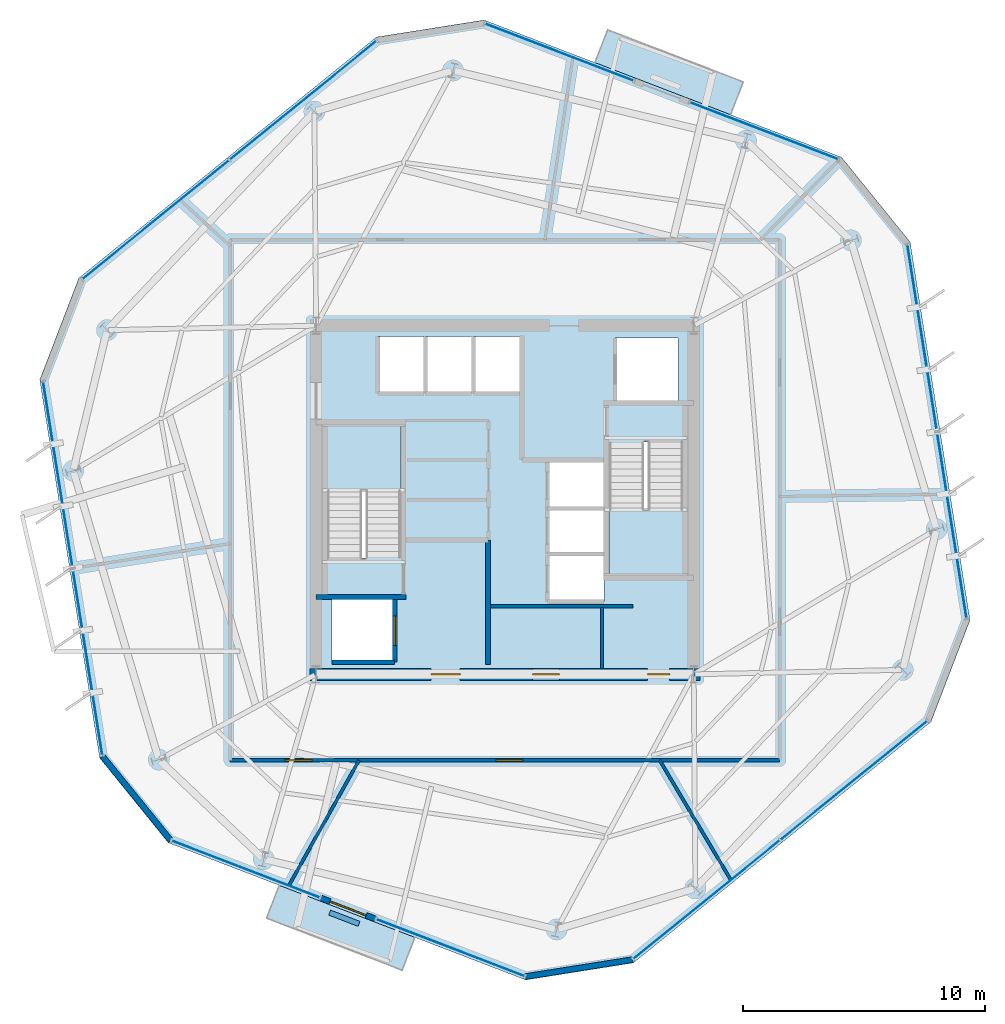
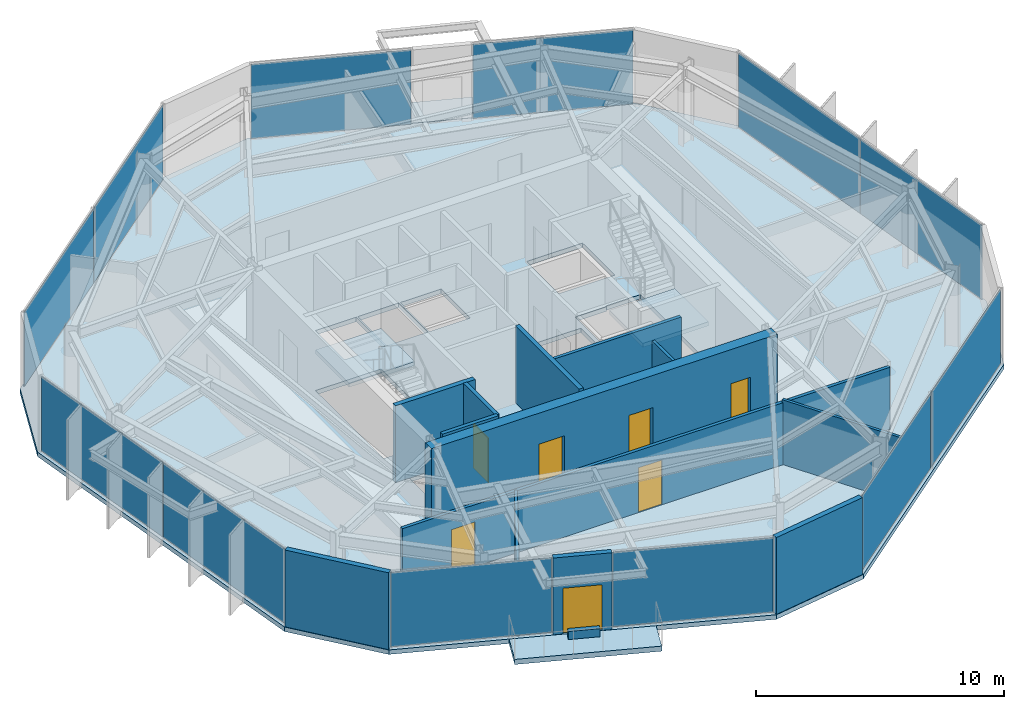
# One storey, part 6 of 12: 14 walls, 12 plates, 7 doors, 5 slabs, 7 openings, 10 elements without a shape of their own.
"""IFC4 building model written with IfcOpenShell, lengths in metres."""

from ifc_helpers import new_model, si_unit, direction, frame, frame_2d, origin, origin_2d, place, context, subcontext, project, spatial, polyline, rectangle, outline, extrude, material, layer, layer_set, type_object, element, fill, aggregate, save


model = new_model("IFC4")

# Units and contexts
model_context = context("Model", 3, precision=1e-05, world=origin(), true_north=direction((0.0, 1.0)))
body_context = subcontext(model_context, "Body", "Model", "MODEL_VIEW")
ifc_project = project(units=[si_unit("LENGTHUNIT", "METRE"), si_unit("AREAUNIT", "SQUARE_METRE"), si_unit("VOLUMEUNIT", "CUBIC_METRE"), si_unit("PLANEANGLEUNIT", "RADIAN"), si_unit("MASSUNIT", "GRAM", prefix="KILO")], contexts=[model_context])

# Site, building, storey
site_placement = place(None, origin())
site = spatial("IfcSite", under=ifc_project, at=site_placement, CompositionType="ELEMENT")
building_placement = place(site_placement, origin())
building = spatial("IfcBuilding", under=site, at=building_placement, Name="Kranzbogen Civic Tower", CompositionType="ELEMENT")
storey_placement = place(building_placement, frame((0.0, 0.0, 180.800048828125)))
storey = spatial("IfcBuildingStorey", under=building, at=storey_placement, Name="L43", CompositionType="ELEMENT", Elevation=180.800048828125)

# Slab
ifc_material_1 = material(Name="Concrete C40/50", Category="concrete")
ifc_layer_1 = layer(ifc_material_1, 0.219970703125, Name="Concrete C40/50")
ifc_layer_set_1 = layer_set([ifc_layer_1], Name="Concrete C40/50")
slab_type_1 = type_object("IfcSlabType", Name="Composite Upper Tower Floor Slab 220 mm", PredefinedType="FLOOR", material=ifc_layer_set_1)
slab_1_placement = place(storey_placement, frame((0.0, 0.0, -0.219970703125)))
element("IfcSlab", 1, at=slab_1_placement, inside=storey, type_object=slab_type_1, Name="L43 tower floor slab", PredefinedType="FLOOR", context=body_context, shape_type="SweptSolid", body=[
    extrude(outline(polyline([(38.906982421875, 39.156982421875), (24.137939453125, 44.825927734375), (19.693115234375, 44.1220703125), (7.39892578125, 34.166015625), (5.787109375, 29.965087890625), (8.260986328125, 14.341064453125), (11.093017578125, 10.843017578125), (25.862060546875, 5.174072265625), (30.306884765625, 5.8779296875), (42.60107421875, 15.833984375), (44.212890625, 20.034912109375), (41.739013671875, 35.658935546875), (38.906982421875, 39.156982421875)]), holes=[polyline([(20.449951171875, 20.89990234375), (20.449951171875, 18.300048828125), (17.85009765625, 18.300048828125), (17.85009765625, 20.89990234375), (20.449951171875, 20.89990234375)]), polyline([(29.10009765625, 22.699951171875), (29.10009765625, 20.800048828125), (26.75, 20.800048828125), (26.75, 22.699951171875), (29.10009765625, 22.699951171875)]), polyline([(29.10009765625, 24.64990234375), (29.10009765625, 22.77490234375), (26.75, 22.77490234375), (26.75, 24.64990234375), (26.75, 24.675048828125), (26.75, 26.550048828125), (29.10009765625, 26.550048828125), (29.10009765625, 24.675048828125), (29.10009765625, 24.64990234375)]), polyline([(30.75, 27.340087890625), (30.75, 27.39990234375), (32.35009765625, 27.39990234375), (32.35009765625, 21.89990234375), (29.300048828125, 21.89990234375), (29.300048828125, 27.340087890625), (30.75, 27.340087890625)]), polyline([(19.25, 22.659912109375), (19.25, 22.60009765625), (17.64990234375, 22.60009765625), (17.64990234375, 28.10009765625), (20.699951171875, 28.10009765625), (20.699951171875, 22.659912109375), (19.25, 22.659912109375)]), polyline([(32.14990234375, 31.699951171875), (32.14990234375, 29.10009765625), (29.550048828125, 29.10009765625), (29.550048828125, 31.699951171875), (32.14990234375, 31.699951171875)]), polyline([(21.64990234375, 31.75), (21.64990234375, 29.39990234375), (19.75, 29.39990234375), (19.75, 31.75), (21.64990234375, 31.75)]), polyline([(23.625, 29.39990234375), (21.72509765625, 29.39990234375), (21.72509765625, 31.75), (23.625, 31.75), (23.625, 29.39990234375)]), polyline([(25.60009765625, 29.39990234375), (23.699951171875, 29.39990234375), (23.699951171875, 31.75), (25.60009765625, 31.75), (25.60009765625, 29.39990234375)])]), origin(), (0.0, 0.0, 1.0), 0.219970703125),
])

# Curtain wall, plate
ifc_material_2 = material(Name="Pale Anodised Aluminium", Category="aluminium")
ifc_layer_2 = layer(ifc_material_2, 0.219970703125, Name="Pale Anodised Aluminium")
ifc_layer_set_2 = layer_set([ifc_layer_2], Name="Pale Anodised Aluminium")
curtain_wall_type = type_object("IfcCurtainWallType", Name="Zone 3 Stick Curtain Wall System CW-04", PredefinedType="USERDEFINED", material=ifc_layer_set_2)
curtain_wall_1_placement = place(storey_placement, origin())
curtain_wall_1 = element("IfcCurtainWall", 2, at=curtain_wall_1_placement, inside=storey, type_object=curtain_wall_type, Name="L43 curtain wall CW-L43-F1-S1", ObjectType="STICK CURTAIN WALL", PredefinedType="USERDEFINED")
ifc_material_3 = material(Name="Low-E Triple Glazing Glass", Category="glass")
ifc_layer_3 = layer(ifc_material_3, 0.030029296875, Name="Low-E Triple Glazing Glass")
ifc_layer_set_3 = layer_set([ifc_layer_3], Name="Low-E Triple Glazing Glass")
plate_type = type_object("IfcPlateType", Name="Insulated Low-E Glazing Panel 30 mm", PredefinedType="CURTAIN_PANEL", material=ifc_layer_set_3)
plate_1_placement = place(storey_placement, frame((35.702880859375, 40.2490234375, 0.06005859375), z_axis=(0.0, 0.0, 1.0), x_axis=(-0.933608751858, 0.35829415074, 0.0)))
plate_1 = element("IfcPlate", 3, at=plate_1_placement, type_object=plate_type, Name="CW-04 panel 1.1", PredefinedType="CURTAIN_PANEL", context=body_context, shape_type="SweptSolid", body=[
    extrude(rectangle(XDim=6.53369140625, YDim=0.028076171875, at=origin_2d()), origin(), (0.0, 0.0, 1.0), 3.659912109375),
])
aggregate(curtain_wall_1, [plate_1])

curtain_wall_2_placement = place(storey_placement, origin())
curtain_wall_2 = element("IfcCurtainWall", 4, at=curtain_wall_2_placement, inside=storey, type_object=curtain_wall_type, Name="L43 curtain wall CW-L43-F1-S2", ObjectType="STICK CURTAIN WALL", PredefinedType="USERDEFINED")
plate_2_placement = place(storey_placement, frame((27.25048828125, 43.493408203125, 0.06005859375), z_axis=(0.0, 0.0, 1.0), x_axis=(-0.933577774585, 0.358374857937, 0.0)))
plate_2 = element("IfcPlate", 5, at=plate_2_placement, type_object=plate_type, Name="CW-04 panel 1.1", PredefinedType="CURTAIN_PANEL", context=body_context, shape_type="SweptSolid", body=[
    extrude(rectangle(XDim=6.53515625, YDim=0.028076171875, at=origin_2d()), origin(), (0.0, 0.0, 1.0), 3.659912109375),
])
aggregate(curtain_wall_2, [plate_2])

# Curtain wall, plates
curtain_wall_3_placement = place(storey_placement, origin())
curtain_wall_3 = element("IfcCurtainWall", 6, at=curtain_wall_3_placement, inside=storey, type_object=curtain_wall_type, Name="L43 curtain wall CW-L43-F2", ObjectType="STICK CURTAIN WALL", PredefinedType="USERDEFINED")
plate_3_placement = place(storey_placement, frame((16.66650390625, 41.506103515625, 0.06005859375), z_axis=(0.0, 0.0, 1.0), x_axis=(-0.777115874444, -0.629357543601, 0.0)))
plate_3 = element("IfcPlate", 7, at=plate_3_placement, type_object=plate_type, Name="CW-04 panel 1.1", PredefinedType="CURTAIN_PANEL", context=body_context, shape_type="SweptSolid", body=[
    extrude(rectangle(XDim=7.76416015625, YDim=0.028076171875, at=origin_2d()), origin(), (0.0, 0.0, 1.0), 3.659912109375),
])
plate_4_placement = place(storey_placement, frame((10.58642578125, 36.58203125, 0.06005859375), z_axis=(0.0, 0.0, 1.0), x_axis=(-0.777115874444, -0.629357543601, 0.0)))
plate_4 = element("IfcPlate", 8, at=plate_4_placement, type_object=plate_type, Name="CW-04 panel 2.1", PredefinedType="CURTAIN_PANEL", context=body_context, shape_type="SweptSolid", body=[
    extrude(rectangle(XDim=7.76416015625, YDim=0.028076171875, at=origin_2d()), origin(), (0.0, 0.0, 1.0), 3.659912109375),
])
aggregate(curtain_wall_3, [plate_3, plate_4])

curtain_wall_4_placement = place(storey_placement, origin())
curtain_wall_4 = element("IfcCurtainWall", 9, at=curtain_wall_4_placement, inside=storey, type_object=curtain_wall_type, Name="L43 curtain wall CW-L43-F3", ObjectType="STICK CURTAIN WALL", PredefinedType="USERDEFINED")
plate_5_placement = place(storey_placement, frame((6.539306640625, 26.03662109375, 0.06005859375), z_axis=(0.0, 0.0, 1.0), x_axis=(0.156361413818, -0.987699908003, 0.0)))
plate_5 = element("IfcPlate", 10, at=plate_5_placement, type_object=plate_type, Name="CW-04 panel 1.1", PredefinedType="CURTAIN_PANEL", context=body_context, shape_type="SweptSolid", body=[
    extrude(rectangle(XDim=7.763671875, YDim=0.028076171875, at=origin_2d()), origin(), (0.0, 0.0, 1.0), 3.659912109375),
])
plate_6_placement = place(storey_placement, frame((7.7626953125, 18.309326171875, 0.06005859375), z_axis=(0.0, 0.0, 1.0), x_axis=(0.156361413818, -0.987699908003, 0.0)))
plate_6 = element("IfcPlate", 11, at=plate_6_placement, type_object=plate_type, Name="CW-04 panel 2.1", PredefinedType="CURTAIN_PANEL", context=body_context, shape_type="SweptSolid", body=[
    extrude(rectangle(XDim=7.763671875, YDim=0.028076171875, at=origin_2d()), origin(), (0.0, 0.0, 1.0), 3.659912109375),
])
aggregate(curtain_wall_4, [plate_5, plate_6])

# Curtain wall, plate
curtain_wall_5_placement = place(storey_placement, origin())
curtain_wall_5 = element("IfcCurtainWall", 12, at=curtain_wall_5_placement, inside=storey, type_object=curtain_wall_type, Name="L43 curtain wall CW-L43-F4-S1", ObjectType="STICK CURTAIN WALL", PredefinedType="USERDEFINED")
plate_7_placement = place(storey_placement, frame((14.297119140625, 9.7509765625, 0.06005859375), z_axis=(0.0, 0.0, 1.0), x_axis=(0.933608751858, -0.35829415074, 0.0)))
plate_7 = element("IfcPlate", 13, at=plate_7_placement, type_object=plate_type, Name="CW-04 panel 1.1", PredefinedType="CURTAIN_PANEL", context=body_context, shape_type="SweptSolid", body=[
    extrude(rectangle(XDim=6.53369140625, YDim=0.028076171875, at=origin_2d()), origin(), (0.0, 0.0, 1.0), 3.659912109375),
])
aggregate(curtain_wall_5, [plate_7])

curtain_wall_6_placement = place(storey_placement, origin())
curtain_wall_6 = element("IfcCurtainWall", 14, at=curtain_wall_6_placement, inside=storey, type_object=curtain_wall_type, Name="L43 curtain wall CW-L43-F4-S2", ObjectType="STICK CURTAIN WALL", PredefinedType="USERDEFINED")
plate_8_placement = place(storey_placement, frame((22.74951171875, 6.506591796875, 0.06005859375), z_axis=(0.0, 0.0, 1.0), x_axis=(0.933577774585, -0.358374857937, 0.0)))
plate_8 = element("IfcPlate", 15, at=plate_8_placement, type_object=plate_type, Name="CW-04 panel 1.1", PredefinedType="CURTAIN_PANEL", context=body_context, shape_type="SweptSolid", body=[
    extrude(rectangle(XDim=6.53515625, YDim=0.028076171875, at=origin_2d()), origin(), (0.0, 0.0, 1.0), 3.659912109375),
])
aggregate(curtain_wall_6, [plate_8])

# Curtain wall, plates
curtain_wall_7_placement = place(storey_placement, origin())
curtain_wall_7 = element("IfcCurtainWall", 16, at=curtain_wall_7_placement, inside=storey, type_object=curtain_wall_type, Name="L43 curtain wall CW-L43-F5", ObjectType="STICK CURTAIN WALL", PredefinedType="USERDEFINED")
plate_9_placement = place(storey_placement, frame((33.33349609375, 8.493896484375, 0.06005859375), z_axis=(0.0, 0.0, 1.0), x_axis=(0.777115874444, 0.629357543601, 0.0)))
plate_9 = element("IfcPlate", 17, at=plate_9_placement, type_object=plate_type, Name="CW-04 panel 1.1", PredefinedType="CURTAIN_PANEL", context=body_context, shape_type="SweptSolid", body=[
    extrude(rectangle(XDim=7.76416015625, YDim=0.028076171875, at=origin_2d()), origin(), (0.0, 0.0, 1.0), 3.659912109375),
])
plate_10_placement = place(storey_placement, frame((39.41357421875, 13.41796875, 0.06005859375), z_axis=(0.0, 0.0, 1.0), x_axis=(0.777115874444, 0.629357543601, 0.0)))
plate_10 = element("IfcPlate", 18, at=plate_10_placement, type_object=plate_type, Name="CW-04 panel 2.1", PredefinedType="CURTAIN_PANEL", context=body_context, shape_type="SweptSolid", body=[
    extrude(rectangle(XDim=7.76416015625, YDim=0.028076171875, at=origin_2d()), origin(), (0.0, 0.0, 1.0), 3.659912109375),
])
aggregate(curtain_wall_7, [plate_9, plate_10])

curtain_wall_8_placement = place(storey_placement, origin())
curtain_wall_8 = element("IfcCurtainWall", 19, at=curtain_wall_8_placement, inside=storey, type_object=curtain_wall_type, Name="L43 curtain wall CW-L43-F6", ObjectType="STICK CURTAIN WALL", PredefinedType="USERDEFINED")
plate_11_placement = place(storey_placement, frame((43.460693359375, 23.96337890625, 0.06005859375), z_axis=(0.0, 0.0, 1.0), x_axis=(-0.156361413818, 0.987699908003, 0.0)))
plate_11 = element("IfcPlate", 20, at=plate_11_placement, type_object=plate_type, Name="CW-04 panel 1.1", PredefinedType="CURTAIN_PANEL", context=body_context, shape_type="SweptSolid", body=[
    extrude(rectangle(XDim=7.763671875, YDim=0.028076171875, at=origin_2d()), origin(), (0.0, 0.0, 1.0), 3.659912109375),
])
plate_12_placement = place(storey_placement, frame((42.2373046875, 31.690673828125, 0.06005859375), z_axis=(0.0, 0.0, 1.0), x_axis=(-0.156361413818, 0.987699908003, 0.0)))
plate_12 = element("IfcPlate", 21, at=plate_12_placement, type_object=plate_type, Name="CW-04 panel 2.1", PredefinedType="CURTAIN_PANEL", context=body_context, shape_type="SweptSolid", body=[
    extrude(rectangle(XDim=7.763671875, YDim=0.028076171875, at=origin_2d()), origin(), (0.0, 0.0, 1.0), 3.659912109375),
])
aggregate(curtain_wall_8, [plate_11, plate_12])

# Stair, slab
ifc_material_4 = material(Name="Precast concrete C40/50", Category="concrete")
stair_type_1 = type_object("IfcStairType", Name="Tower Core Pressurized Dogleg Stair 1450", PredefinedType="HALF_TURN_STAIR", material=ifc_material_4)
stair_1_placement = place(storey_placement, origin())
stair_1 = element("IfcStair", 22, at=stair_1_placement, inside=storey, type_object=stair_type_1, Name="L43 Tower Core Pressurized Stair 1", PredefinedType="HALF_TURN_STAIR")
ifc_layer_4 = layer(ifc_material_4, 0.199951171875, Name="Precast concrete C40/50")
ifc_layer_set_4 = layer_set([ifc_layer_4], Name="Precast concrete C40/50")
slab_type_2 = type_object("IfcSlabType", Name="Precast Concrete Stair Landing Slab 200 mm", PredefinedType="LANDING", material=ifc_layer_set_4)
slab_2_placement = place(storey_placement, frame((0.0, 0.0, 1.800048828125)))
slab_2 = element("IfcSlab", 23, at=slab_2_placement, type_object=slab_type_2, Name="ST-T1 landing 1", PredefinedType="LANDING", context=body_context, shape_type="SweptSolid", body=[
    extrude(outline(polyline([(20.699951171875, 25.39990234375), (20.699951171875, 28.10009765625), (17.64990234375, 28.10009765625), (17.64990234375, 25.39990234375), (20.699951171875, 25.39990234375)])), origin(), (0.0, 0.0, 1.0), 0.199951171875),
])
aggregate(stair_1, [slab_2])

stair_type_2 = type_object("IfcStairType", Name="Tower Core Secondary Dogleg Stair 1450", PredefinedType="HALF_TURN_STAIR", material=ifc_material_4)
stair_2_placement = place(storey_placement, origin())
stair_2 = element("IfcStair", 24, at=stair_2_placement, inside=storey, type_object=stair_type_2, Name="L43 Tower Core Pressurized Stair 2", PredefinedType="HALF_TURN_STAIR")
slab_3_placement = place(storey_placement, frame((0.0, 0.0, 1.800048828125)))
slab_3 = element("IfcSlab", 25, at=slab_3_placement, type_object=slab_type_2, Name="ST-T2 landing 1", PredefinedType="LANDING", context=body_context, shape_type="SweptSolid", body=[
    extrude(outline(polyline([(29.300048828125, 24.60009765625), (29.300048828125, 21.89990234375), (32.35009765625, 21.89990234375), (32.35009765625, 24.60009765625), (29.300048828125, 24.60009765625)])), origin(), (0.0, 0.0, 1.0), 0.199951171875),
])
aggregate(stair_2, [slab_3])

# Slabs
ifc_layer_5 = layer(ifc_material_1, 0.25, Name="Concrete C40/50")
ifc_layer_set_5 = layer_set([ifc_layer_5], Name="Concrete C40/50")
slab_type_3 = type_object("IfcSlabType", Name="Tree Balcony Cantilevered Slab 250 mm", PredefinedType="FLOOR", material=ifc_layer_set_5)
slab_4_placement = place(storey_placement, frame((0.0, 0.0, -0.25)))
element("IfcSlab", 26, at=slab_4_placement, inside=storey, type_object=slab_type_3, Name="L43 cantilevered tree balcony L43-TB1", PredefinedType="FLOOR", context=body_context, shape_type="SweptSolid", body=[
    extrude(outline(polyline([(34.322998046875, 40.916015625), (28.721923828125, 43.06591796875), (29.241943359375, 44.419921875), (34.843017578125, 42.27001953125), (34.322998046875, 40.916015625)])), origin(), (0.0, 0.0, 1.0), 0.25),
])
slab_5_placement = place(storey_placement, frame((0.0, 0.0, -0.25)))
element("IfcSlab", 27, at=slab_5_placement, inside=storey, type_object=slab_type_3, Name="L43 cantilevered tree balcony L43-TB2", PredefinedType="FLOOR", context=body_context, shape_type="SweptSolid", body=[
    extrude(outline(polyline([(15.677001953125, 9.083984375), (21.278076171875, 6.93408203125), (20.758056640625, 5.580078125), (15.156982421875, 7.72998046875), (15.677001953125, 9.083984375)])), origin(), (0.0, 0.0, 1.0), 0.25),
])

# Wall
ifc_material_5 = material(Name="Double-Stud Acoustic Gypsum Partition")
ifc_layer_6 = layer(ifc_material_5, 0.14990234375, Name="Double-Stud Acoustic Gypsum Partition")
ifc_layer_set_6 = layer_set([ifc_layer_6], Name="Double-Stud Acoustic Gypsum Partition")
wall_type_1 = type_object("IfcWallType", Name="Acoustic Corridor and Clinical Partition 150 mm", PredefinedType="PARTITIONING", material=ifc_layer_set_6)
wall_1_placement = place(storey_placement, frame((24.39990234375, 20.610107421875, 0.0), z_axis=(0.0, 0.0, 1.0), x_axis=(1.0, 0.0, 0.0)))
element("IfcWall", 28, at=wall_1_placement, inside=storey, type_object=wall_type_1, Name="L43 records zone North wall", PredefinedType="PARTITIONING", context=body_context, shape_type="SweptSolid", body=[
    extrude(rectangle(XDim=5.900146484375, YDim=0.14990234375, at=frame_2d((2.9501953125, 0.0))), origin(), (0.0, 0.0, 1.0), 3.780029296875),
])

# Wall, openings, doors
wall_2_placement = place(storey_placement, frame((36.35009765625, 14.25, 0.0), z_axis=(0.0, 0.0, 1.0), x_axis=(-1.0, 0.0, 0.0)))
wall_2 = element("IfcWall", 29, at=wall_2_placement, inside=storey, type_object=wall_type_1, Name="L43 corridor partition 03", PredefinedType="PARTITIONING", context=body_context, shape_type="SweptSolid", body=[
    extrude(rectangle(XDim=22.7001953125, YDim=0.14990234375, at=frame_2d((11.35009765625, 0.0))), origin(), (0.0, 0.0, 1.0), 3.050048828125),
])
opening_1_placement = place(wall_2_placement, frame((19.325927734375, 0.0, 0.0)))
opening_1 = element("IfcOpeningElement", 30, at=opening_1_placement, cuts=wall_2, Name="Opening D-COR60", PredefinedType="OPENING", context=body_context, shape_type="SweptSolid", body=[
    extrude(rectangle(XDim=1.10009765625, YDim=2.199951171875, at=frame_2d((0.550048828125, 1.10009765625))), frame((0.0, 0.0849609375, 0.0), z_axis=(0.0, -1.0, 0.0), x_axis=(1.0, 0.0, 0.0)), (0.0, 0.0, 1.0), 0.169921875),
])
opening_2_placement = place(wall_2_placement, frame((10.613037109375, 0.0, 0.0)))
opening_2 = element("IfcOpeningElement", 31, at=opening_2_placement, cuts=wall_2, Name="Opening D-COR60", PredefinedType="OPENING", context=body_context, shape_type="SweptSolid", body=[
    extrude(rectangle(XDim=1.10009765625, YDim=2.199951171875, at=frame_2d((0.550048828125, 1.10009765625))), frame((0.0, 0.0849609375, 0.0), z_axis=(0.0, -1.0, 0.0), x_axis=(1.0, 0.0, 0.0)), (0.0, 0.0, 1.0), 0.169921875),
])
ifc_material_6 = material(Name="Oak Timber and Fire Core", Category="wood")
door_type_1 = type_object("IfcDoorType", Name="Corridor Acoustic Fire Door 1100x2200", OperationType="NOTDEFINED", PredefinedType="DOOR", material=ifc_material_6)
door_1_placement = place(opening_1_placement, origin())
door_1 = element("IfcDoor", 32, at=door_1_placement, inside=storey, type_object=door_type_1, Name="L43 Civic Reference Library door", OperationType="SINGLE_SWING_RIGHT", OverallHeight=2.199951171875, OverallWidth=1.10009765625, PredefinedType="DOOR", context=body_context, shape_type="SweptSolid", body=[
    extrude(rectangle(XDim=1.10009765625, YDim=2.199951171875, at=frame_2d((0.550048828125, 1.10009765625))), frame((0.0, 0.02490234375, 0.0), z_axis=(0.0, -1.0, 0.0), x_axis=(1.0, 0.0, 0.0)), (0.0, 0.0, 1.0), 0.050048828125),
])
fill(opening_1, door_1)
door_2_placement = place(opening_2_placement, origin())
door_2 = element("IfcDoor", 33, at=door_2_placement, inside=storey, type_object=door_type_1, Name="L43 Urban Design Workshop door", OperationType="SINGLE_SWING_LEFT", OverallHeight=2.199951171875, OverallWidth=1.10009765625, PredefinedType="DOOR", context=body_context, shape_type="SweptSolid", body=[
    extrude(rectangle(XDim=1.10009765625, YDim=2.199951171875, at=frame_2d((0.550048828125, 1.10009765625))), frame((0.0, 0.02490234375, 0.0), z_axis=(0.0, -1.0, 0.0), x_axis=(1.0, 0.0, 0.0)), (0.0, 0.0, 1.0), 0.050048828125),
])
fill(opening_2, door_2)

# Walls
ifc_material_7 = material(Name="Insulated Metal-Stud Gypsum Partition")
ifc_layer_7 = layer(ifc_material_7, 0.125, Name="Insulated Metal-Stud Gypsum Partition")
ifc_layer_set_7 = layer_set([ifc_layer_7], Name="Insulated Metal-Stud Gypsum Partition")
wall_type_2 = type_object("IfcWallType", Name="Acoustic Inter-Room Partition 125 mm", PredefinedType="PARTITIONING", material=ifc_layer_set_7)
wall_3_placement = place(storey_placement, frame((29.010009765625, 18.050048828125, 0.0), z_axis=(0.0, 0.0, 1.0), x_axis=(0.0, 1.0, 0.0)))
element("IfcWall", 34, at=wall_3_placement, inside=storey, type_object=wall_type_2, Name="L43 core auxiliary partition 1", PredefinedType="PARTITIONING", context=body_context, shape_type="SweptSolid", body=[
    extrude(rectangle(XDim=2.5, YDim=0.125, at=frame_2d((1.25, 0.0))), origin(), (0.0, 0.0, 1.0), 3.079833984375),
])
wall_4_placement = place(storey_placement, frame((18.97705078125, 14.25, 0.0), z_axis=(0.0, 0.0, 1.0), x_axis=(-0.488671153829, -0.872468052948, 0.0)))
element("IfcWall", 35, at=wall_4_placement, inside=storey, type_object=wall_type_2, Name="L43 radial room partition 04", PredefinedType="PARTITIONING", context=body_context, shape_type="SweptSolid", body=[
    extrude(rectangle(XDim=5.92236328125, YDim=0.125, at=frame_2d((2.961181640625, 0.0))), origin(), (0.0, 0.0, 1.0), 3.050048828125),
])
wall_5_placement = place(storey_placement, frame((31.39306640625, 14.25, 0.0), z_axis=(0.0, 0.0, 1.0), x_axis=(0.511200293468, -0.85946161052, 0.0)))
element("IfcWall", 36, at=wall_5_placement, inside=storey, type_object=wall_type_2, Name="L43 radial room partition 05", PredefinedType="PARTITIONING", context=body_context, shape_type="SweptSolid", body=[
    extrude(rectangle(XDim=5.7373046875, YDim=0.125, at=frame_2d((2.86865234375, 0.0))), origin(), (0.0, 0.0, 1.0), 3.179931640625),
])
ifc_material_8 = material(Name="Architectural Precast Terracotta Concrete C40/50", Category="masonry")
ifc_layer_8 = layer(ifc_material_8, 0.219970703125, Name="Architectural Precast Terracotta Concrete C40/50")
ifc_layer_set_8 = layer_set([ifc_layer_8], Name="Architectural Precast Terracotta Concrete C40/50")
wall_type_3 = type_object("IfcWallType", Name="Architectural Tree Planter Kerb Wall 220 mm", PredefinedType="USERDEFINED", material=ifc_layer_set_8)
wall_6_placement = place(storey_placement, frame((17.760986328125, 7.9580078125, 0.0), z_axis=(0.0, 0.0, 1.0), x_axis=(0.933577653273, -0.358375173959, 0.0)))
element("IfcWall", 37, at=wall_6_placement, inside=storey, type_object=wall_type_3, Name="L43 landscaped tree balcony planter L43-TB2", ObjectType="PLANTER_WALL", PredefinedType="USERDEFINED", context=body_context, shape_type="SweptSolid", body=[
    extrude(rectangle(XDim=1.300537109375, YDim=0.219970703125, at=frame_2d((0.650390625, 0.0))), origin(), (0.0, 0.0, 1.0), 0.39990234375),
])

# Wall, openings, doors
ifc_material_9 = material(Name="Concrete C45/55", Category="concrete")
ifc_layer_9 = layer(ifc_material_9, 0.5, Name="Concrete C45/55")
ifc_layer_set_9 = layer_set([ifc_layer_9], Name="Concrete C45/55")
wall_type_4 = type_object("IfcWallType", Name="Central Core Shear Wall 500 mm", PredefinedType="SHEAR", material=ifc_layer_set_9)
wall_7_placement = place(storey_placement, frame((16.949951171875, 17.800048828125, 0.0), z_axis=(0.0, 0.0, 1.0), x_axis=(1.0, 0.0, 0.0)))
wall_7 = element("IfcWall", 38, at=wall_7_placement, inside=storey, type_object=wall_type_4, Name="L43 central core South shear wall", PredefinedType="SHEAR", context=body_context, shape_type="SweptSolid", body=[
    extrude(rectangle(XDim=16.10009765625, YDim=0.5, at=frame_2d((8.050048828125, 0.0))), origin(), (0.0, 0.0, 1.0), 3.780029296875),
])
opening_3_placement = place(wall_7_placement, frame((5.0, 0.0, 0.0)))
opening_3 = element("IfcOpeningElement", 39, at=opening_3_placement, cuts=wall_7, Name="Opening D-EX120", PredefinedType="OPENING", context=body_context, shape_type="SweptSolid", body=[
    extrude(rectangle(XDim=1.199951171875, YDim=2.25, at=frame_2d((0.60009765625, 1.125))), frame((0.0, 0.260009765625, 0.0), z_axis=(0.0, -1.0, 0.0), x_axis=(1.0, 0.0, 0.0)), (0.0, 0.0, 1.0), 0.52001953125),
])
opening_4_placement = place(wall_7_placement, frame((13.949951171875, 0.0, 0.0)))
opening_4 = element("IfcOpeningElement", 40, at=opening_4_placement, cuts=wall_7, Name="Opening D-WC90", PredefinedType="OPENING", context=body_context, shape_type="SweptSolid", body=[
    extrude(rectangle(XDim=0.89990234375, YDim=2.10009765625, at=frame_2d((0.449951171875, 1.050048828125))), frame((0.0, 0.260009765625, 0.0), z_axis=(0.0, -1.0, 0.0), x_axis=(1.0, 0.0, 0.0)), (0.0, 0.0, 1.0), 0.52001953125),
])
opening_5_placement = place(wall_7_placement, frame((9.199951171875, 0.0, 0.0)))
opening_5 = element("IfcOpeningElement", 41, at=opening_5_placement, cuts=wall_7, Name="Opening D-COR60", PredefinedType="OPENING", context=body_context, shape_type="SweptSolid", body=[
    extrude(rectangle(XDim=1.10009765625, YDim=2.199951171875, at=frame_2d((0.550048828125, 1.10009765625))), frame((0.0, 0.260009765625, 0.0), z_axis=(0.0, -1.0, 0.0), x_axis=(1.0, 0.0, 0.0)), (0.0, 0.0, 1.0), 0.52001953125),
])
door_3_placement = place(opening_5_placement, origin())
door_3 = element("IfcDoor", 42, at=door_3_placement, inside=storey, type_object=door_type_1, Name="L43 REC1 archive room door", OperationType="SINGLE_SWING_LEFT", OverallHeight=2.199951171875, OverallWidth=1.10009765625, PredefinedType="DOOR", context=body_context, shape_type="SweptSolid", body=[
    extrude(rectangle(XDim=1.10009765625, YDim=2.199951171875, at=frame_2d((0.550048828125, 1.10009765625))), frame((0.0, 0.02490234375, 0.0), z_axis=(0.0, -1.0, 0.0), x_axis=(1.0, 0.0, 0.0)), (0.0, 0.0, 1.0), 0.050048828125),
])
fill(opening_5, door_3)
ifc_material_10 = material(Name="Steel S355", Category="steel")
door_type_2 = type_object("IfcDoorType", Name="Exit Passageway Fire Door 1200x2250", OperationType="NOTDEFINED", PredefinedType="DOOR", material=ifc_material_10)
door_4_placement = place(opening_3_placement, origin())
door_4 = element("IfcDoor", 43, at=door_4_placement, inside=storey, type_object=door_type_2, Name="L43 West firefighting lobby corridor door", OperationType="SINGLE_SWING_LEFT", OverallHeight=2.25, OverallWidth=1.199951171875, PredefinedType="DOOR", context=body_context, shape_type="SweptSolid", body=[
    extrude(rectangle(XDim=1.199951171875, YDim=2.25, at=frame_2d((0.60009765625, 1.125))), frame((0.0, 0.02490234375, 0.0), z_axis=(0.0, -1.0, 0.0), x_axis=(1.0, 0.0, 0.0)), (0.0, 0.0, 1.0), 0.050048828125),
])
fill(opening_3, door_4)
ifc_material_11 = material(Name="Moisture-Resistant Laminate")
door_type_3 = type_object("IfcDoorType", Name="Standard Restroom and Store Door 900x2100", OperationType="NOTDEFINED", PredefinedType="DOOR", material=ifc_material_11)
door_5_placement = place(opening_4_placement, origin())
door_5 = element("IfcDoor", 44, at=door_5_placement, inside=storey, type_object=door_type_3, Name="L43 East electrical riser access door", OperationType="SINGLE_SWING_RIGHT", OverallHeight=2.10009765625, OverallWidth=0.89990234375, PredefinedType="DOOR", context=body_context, shape_type="SweptSolid", body=[
    extrude(rectangle(XDim=0.89990234375, YDim=2.10009765625, at=frame_2d((0.449951171875, 1.050048828125))), frame((0.0, 0.02490234375, 0.0), z_axis=(0.0, -1.0, 0.0), x_axis=(1.0, 0.0, 0.0)), (0.0, 0.0, 1.0), 0.050048828125),
])
fill(opening_4, door_5)

# Walls
ifc_layer_10 = layer(ifc_material_9, 0.219970703125, Name="Concrete C45/55")
ifc_layer_set_10 = layer_set([ifc_layer_10], Name="Concrete C45/55")
wall_type_5 = type_object("IfcWallType", Name="Core Internal Stair Structural Wall 220 mm", PredefinedType="SOLIDWALL", material=ifc_layer_set_10)
wall_8_placement = place(storey_placement, frame((17.199951171875, 20.989990234375, 0.0), z_axis=(0.0, 0.0, 1.0), x_axis=(1.0, 0.0, 0.0)))
element("IfcWall", 45, at=wall_8_placement, inside=storey, type_object=wall_type_5, Name="L43 ST-T1 South structural stair wall", PredefinedType="SOLIDWALL", context=body_context, shape_type="SweptSolid", body=[
    extrude(rectangle(XDim=3.719970703125, YDim=0.219970703125, at=frame_2d((1.85986328125, 0.0))), origin(), (0.0, 0.0, 1.0), 3.780029296875),
])
ifc_material_12 = material(Name="Gypsum Fireboard and Concrete Block", Category="concrete")
ifc_layer_11 = layer(ifc_material_12, 0.199951171875, Name="Gypsum Fireboard and Concrete Block")
ifc_layer_set_11 = layer_set([ifc_layer_11], Name="Gypsum Fireboard and Concrete Block")
wall_type_6 = type_object("IfcWallType", Name="Fire-Rated Exit Passageway and Stair Wall 200 mm", PredefinedType="PARTITIONING", material=ifc_layer_set_11)
wall_9_placement = place(storey_placement, frame((24.300048828125, 18.199951171875, 0.0), z_axis=(0.0, 0.0, 1.0), x_axis=(0.0, 1.0, 0.0)))
element("IfcWall", 46, at=wall_9_placement, inside=storey, type_object=wall_type_6, Name="L43 West firefighting lobby East wall", PredefinedType="PARTITIONING", context=body_context, shape_type="SweptSolid", body=[
    extrude(rectangle(XDim=5.150146484375, YDim=0.199951171875, at=frame_2d((2.5751953125, 0.0))), origin(), (0.0, 0.0, 1.0), 3.780029296875),
])

# Wall, opening, door
ifc_material_13 = material(Name="Gypsum Fireboard Shaftliner")
ifc_layer_12 = layer(ifc_material_13, 0.175048828125, Name="Gypsum Fireboard Shaftliner")
ifc_layer_set_12 = layer_set([ifc_layer_12], Name="Gypsum Fireboard Shaftliner")
wall_type_7 = type_object("IfcWallType", Name="Fire-Rated Lift and Service Shaft Wall 175 mm", PredefinedType="PARTITIONING", material=ifc_layer_set_12)
wall_10_placement = place(storey_placement, frame((20.449951171875, 18.300048828125, 0.0), z_axis=(0.0, 0.0, 1.0), x_axis=(0.0, 1.0, 0.0)))
wall_10 = element("IfcWall", 47, at=wall_10_placement, inside=storey, type_object=wall_type_7, Name="L43 lift FF-01 landing wall", PredefinedType="PARTITIONING", context=body_context, shape_type="SweptSolid", body=[
    extrude(rectangle(XDim=2.599853515625, YDim=0.175048828125, at=frame_2d((1.2998046875, 0.0))), origin(), (0.0, 0.0, 1.0), 3.780029296875),
])
opening_6_placement = place(wall_10_placement, frame((0.699951171875, 0.0, 0.0)))
opening_6 = element("IfcOpeningElement", 48, at=opening_6_placement, cuts=wall_10, Name="Opening LD-FF-01", PredefinedType="OPENING", context=body_context, shape_type="SweptSolid", body=[
    extrude(rectangle(XDim=1.199951171875, YDim=2.199951171875, at=frame_2d((0.60009765625, 1.10009765625))), frame((0.0, 0.09765625, 0.0), z_axis=(0.0, -1.0, 0.0), x_axis=(1.0, 0.0, 0.0)), (0.0, 0.0, 1.0), 0.195068359375),
])
door_type_4 = type_object("IfcDoorType", Name="Firefighting and Stretcher Lift Sliding Landing Door 1200x2200", OperationType="DOUBLE_DOOR_SLIDING", PredefinedType="DOOR", material=ifc_material_2)
door_6_placement = place(opening_6_placement, origin())
door_6 = element("IfcDoor", 49, at=door_6_placement, inside=storey, type_object=door_type_4, Name="L43 lift FF-01 sliding landing door", OperationType="DOUBLE_DOOR_SLIDING", OverallHeight=2.199951171875, OverallWidth=1.199951171875, PredefinedType="DOOR", context=body_context, shape_type="SweptSolid", body=[
    extrude(rectangle(XDim=1.199951171875, YDim=2.199951171875, at=frame_2d((0.60009765625, 1.10009765625))), frame((0.0, 0.02490234375, 0.0), z_axis=(0.0, -1.0, 0.0), x_axis=(1.0, 0.0, 0.0)), (0.0, 0.0, 1.0), 0.050048828125),
])
fill(opening_6, door_6)

# Walls
wall_11_placement = place(storey_placement, frame((17.85009765625, 18.300048828125, 0.0), z_axis=(0.0, 0.0, 1.0), x_axis=(1.0, 0.0, 0.0)))
element("IfcWall", 50, at=wall_11_placement, inside=storey, type_object=wall_type_7, Name="L43 lift FF-01 side wall", PredefinedType="PARTITIONING", context=body_context, shape_type="SweptSolid", body=[
    extrude(rectangle(XDim=2.599853515625, YDim=0.175048828125, at=frame_2d((1.2998046875, 0.0))), origin(), (0.0, 0.0, 1.0), 3.780029296875),
])
ifc_layer_13 = layer(ifc_material_2, 0.239990234375, Name="Pale Anodised Aluminium")
ifc_layer_set_13 = layer_set([ifc_layer_13], Name="Pale Anodised Aluminium")
wall_type_8 = type_object("IfcWallType", Name="Insulated Aluminium Facade Portal Wall 240 mm", PredefinedType="STANDARD", material=ifc_layer_set_13)
wall_12_placement = place(storey_placement, frame((8.37890625, 14.416015625, 0.0), z_axis=(0.0, 0.0, 1.0), x_axis=(0.629281524136, -0.777177433654, 0.0)))
element("IfcWall", 51, at=wall_12_placement, inside=storey, type_object=wall_type_8, Name="L43 chamfered corner facade spandrel 3", PredefinedType="STANDARD", context=body_context, shape_type="SweptSolid", body=[
    extrude(rectangle(XDim=4.468505859375, YDim=0.239990234375, at=frame_2d((2.234375, 0.0))), origin(), (0.0, 0.0, 1.0), 3.780029296875),
])

# Wall, opening, door
wall_13_placement = place(storey_placement, frame((17.403076171875, 8.55908203125, 0.0), z_axis=(0.0, 0.0, 1.0), x_axis=(0.933544764029, -0.358460839638, 0.0)))
wall_13 = element("IfcWall", 52, at=wall_13_placement, inside=storey, type_object=wall_type_8, Name="L43 exterior entrance portal wall 1", PredefinedType="STANDARD", context=body_context, shape_type="SweptSolid", body=[
    extrude(rectangle(XDim=2.3994140625, YDim=0.239990234375, at=frame_2d((1.19970703125, 0.0))), origin(), (0.0, 0.0, 1.0), 3.780029296875),
])
opening_7_placement = place(wall_13_placement, frame((0.39990234375, 0.0, 0.0)))
opening_7 = element("IfcOpeningElement", 53, at=opening_7_placement, cuts=wall_13, Name="Opening D-TER", PredefinedType="OPENING", context=body_context, shape_type="SweptSolid", body=[
    extrude(rectangle(XDim=1.60009765625, YDim=2.25, at=frame_2d((0.800048828125, 1.125))), frame((0.0, 0.1298828125, 0.0), z_axis=(0.0, -1.0, 0.0), x_axis=(1.0, 0.0, 0.0)), (0.0, 0.0, 1.0), 0.260009765625),
])
ifc_material_14 = material(Name="Anodised Bronze and Triple Glass", Category="glass")
door_type_5 = type_object("IfcDoorType", Name="Glazed Terrace and Balcony Double Door 1600x2250", OperationType="DOUBLE_DOOR_SINGLE_SWING", PredefinedType="DOOR", material=ifc_material_14)
door_7_placement = place(opening_7_placement, frame((1.60009765625, 0.0, 0.0), z_axis=(0.0, 0.0, 1.0), x_axis=(-1.0, 0.0, 0.0)))
door_7 = element("IfcDoor", 54, at=door_7_placement, inside=storey, type_object=door_type_5, Name="L43 tree balcony access door L43-TB2", OperationType="DOUBLE_DOOR_SINGLE_SWING", OverallHeight=2.25, OverallWidth=1.60009765625, PredefinedType="DOOR", context=body_context, shape_type="SweptSolid", body=[
    extrude(rectangle(XDim=1.60009765625, YDim=2.25, at=frame_2d((0.800048828125, 1.125))), frame((0.0, 0.02490234375, 0.0), z_axis=(0.0, -1.0, 0.0), x_axis=(1.0, 0.0, 0.0)), (0.0, 0.0, 1.0), 0.050048828125),
])
fill(opening_7, door_7)

# Wall
wall_14_placement = place(storey_placement, frame((25.85595703125, 5.31396484375, 0.0), z_axis=(0.0, 0.0, 1.0), x_axis=(0.987693325828, 0.156402986275, 0.0)))
element("IfcWall", 55, at=wall_14_placement, inside=storey, type_object=wall_type_8, Name="L43 chamfered corner facade spandrel 4", PredefinedType="STANDARD", context=body_context, shape_type="SweptSolid", body=[
    extrude(rectangle(XDim=4.468994140625, YDim=0.239990234375, at=frame_2d((2.234375, 0.0))), origin(), (0.0, 0.0, 1.0), 3.780029296875),
])

save(model, "model.ifc")
